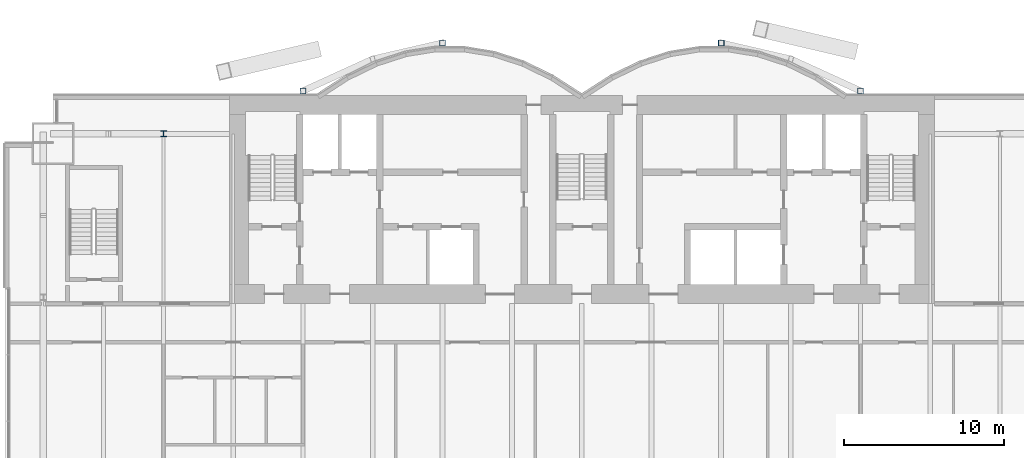
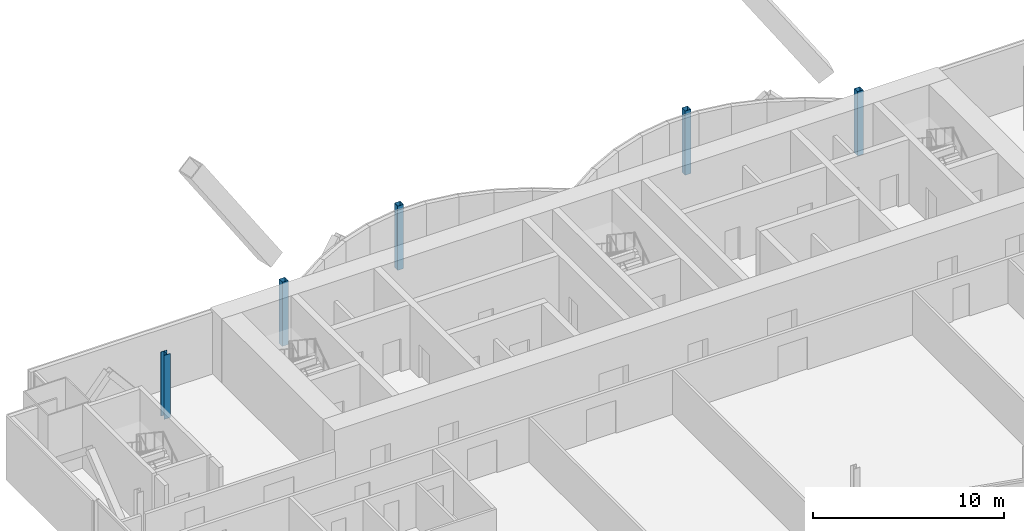
# One storey, part 3 of 24: 5 columns.
"""IFC4 building model written with IfcOpenShell, lengths in metres."""

from ifc_helpers import new_model, si_unit, direction, frame, origin, origin_2d, place, context, subcontext, project, spatial, hollow_rectangle, i_section, extrude, material, material_profile, profile_set, type_object, element, save


model = new_model("IFC4")

# Units and contexts
model_context = context("Model", 3, precision=1e-05, world=origin(), true_north=direction((0.0, 1.0)))
body_context = subcontext(model_context, "Body", "Model", "MODEL_VIEW")
ifc_project = project(units=[si_unit("LENGTHUNIT", "METRE"), si_unit("AREAUNIT", "SQUARE_METRE"), si_unit("VOLUMEUNIT", "CUBIC_METRE"), si_unit("PLANEANGLEUNIT", "RADIAN"), si_unit("MASSUNIT", "GRAM", prefix="KILO")], contexts=[model_context])

# Site, building, storey
site_placement = place(None, origin())
site = spatial("IfcSite", under=ifc_project, at=site_placement, CompositionType="ELEMENT")
building_placement = place(site_placement, origin())
building = spatial("IfcBuilding", under=site, at=building_placement, Name="Bicima Exchange Tower", CompositionType="ELEMENT")
storey_placement = place(building_placement, frame((0.0, 0.0, 211.39990234375)))
storey = spatial("IfcBuildingStorey", under=building, at=storey_placement, Name="L47", CompositionType="ELEMENT", Elevation=211.39990234375)

# Columns
ifc_material_1 = material(Name="Steel ASTM A992 Gr 50", Category="steel")
ifc_material_profile_1 = material_profile(ifc_material_1, i_section(OverallWidth=0.373291015625, OverallDepth=0.373291015625, WebThickness=0.016357421875, FlangeThickness=0.026123046875, at=origin_2d()))
ifc_profile_set_1 = profile_set([ifc_material_profile_1], Name="Steel ASTM A992 Gr 50")
column_type_1 = type_object("IfcColumnType", Name="Perimeter column W14x132", PredefinedType="COLUMN", material=ifc_profile_set_1)
column_placement = place(storey_placement, frame((-26.10009765625, -2.39990234375, 0.0), z_axis=(0.0, 0.0, 1.0), x_axis=(1.0, 0.0, 0.0)))
element("IfcColumn", 1, at=column_placement, inside=storey, type_object=column_type_1, Name="Perimeter column grav-26.1r", PredefinedType="COLUMN", context=body_context, shape_type="SweptSolid", body=[
    extrude(i_section(OverallWidth=0.373291015625, OverallDepth=0.373291015625, WebThickness=0.016357421875, FlangeThickness=0.026123046875, at=origin_2d()), origin(), (0.0, 0.0, 1.0), 4.10009765625),
])
ifc_material_2 = material(Name="Steel ASTM A572 Gr 50", Category="steel")
ifc_material_profile_2 = material_profile(ifc_material_2, hollow_rectangle(XDim=0.355712890625, YDim=0.355712890625, WallThickness=0.01171875, at=origin_2d()))
ifc_profile_set_2 = profile_set([ifc_material_profile_2], Name="Steel ASTM A572 Gr 50")
column_type_2 = type_object("IfcColumnType", Name="Rear pilaster HSS14x14x1/2", PredefinedType="COLUMN", material=ifc_profile_set_2)
for number, where, z_axis, x_axis, name in (
    (2, (-8.699951171875, 3.26904296875, 0.0), (0.0, 0.0, 1.0), (1.0, 0.0, 0.0), "Rear pilaster rexo-8.7r"),
    (3, (-17.39990234375, 0.278076171875, 0.0), (0.0, 0.0, 1.0), (1.0, 0.0, 0.0), "Rear pilaster rexo-17.4r"),
    (4, (8.699951171875, 3.26904296875, 0.0), (0.0, 0.0, 1.0), (1.0, 0.0, 0.0), "Rear pilaster rexo+8.7r"),
    (5, (17.39990234375, 0.278076171875, 0.0), (0.0, 0.0, 1.0), (1.0, 0.0, 0.0), "Rear pilaster rexo+17.4r"),
):
    element("IfcColumn", number, at=place(storey_placement, frame(where, z_axis=z_axis, x_axis=x_axis)), inside=storey, type_object=column_type_2, Name=name, PredefinedType="COLUMN", context=body_context, shape_type="SweptSolid", body=[
        extrude(hollow_rectangle(XDim=0.355712890625, YDim=0.355712890625, WallThickness=0.01171875, at=origin_2d()), origin(), (0.0, 0.0, 1.0), 4.10009765625),
    ])

save(model, "model.ifc")
